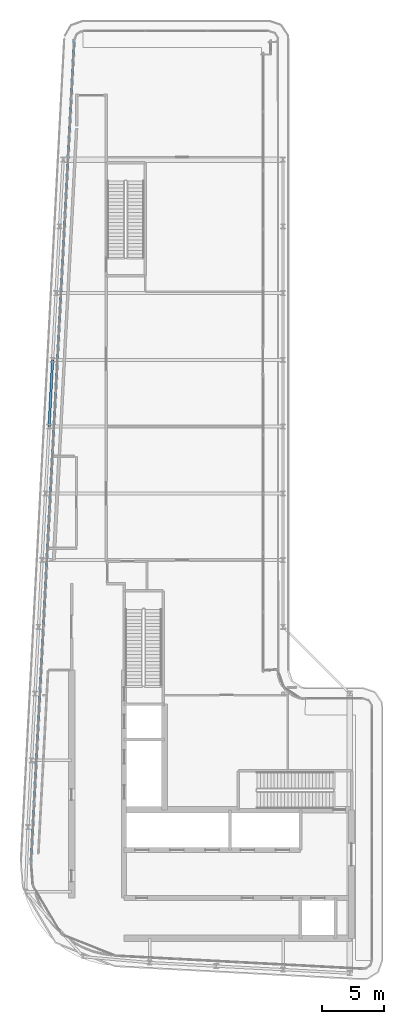
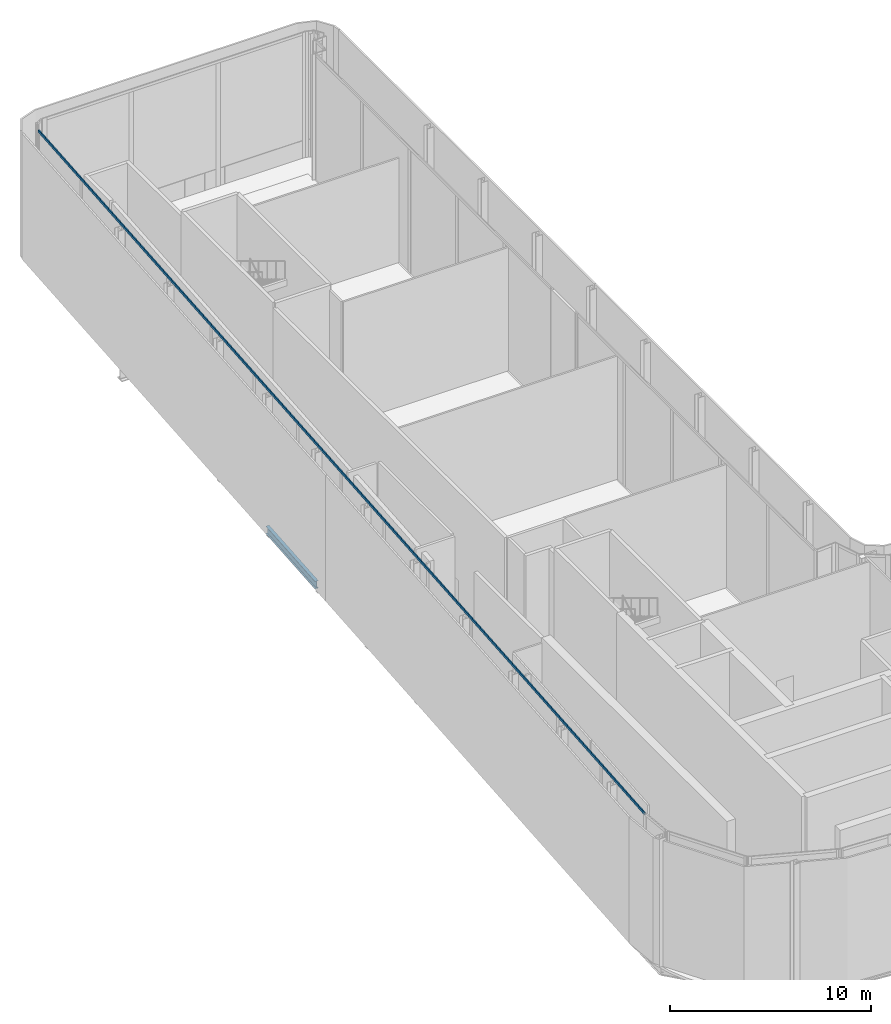
# One storey, part 6 of 23: 1 beam, 1 member, 1 element without a shape of its own.
"""IFC4 building model written with IfcOpenShell, lengths in metres."""

from ifc_helpers import new_model, si_unit, direction, frame, origin, origin_2d, place, context, subcontext, project, spatial, rectangle, i_section, extrude, material, layer, layer_set, material_profile, profile_set, type_object, element, aggregate, save


model = new_model("IFC4")

# Units and contexts
model_context = context("Model", 3, precision=1e-05, world=origin(), true_north=direction((0.0, 1.0)))
body_context = subcontext(model_context, "Body", "Model", "MODEL_VIEW")
ifc_project = project(units=[si_unit("LENGTHUNIT", "METRE"), si_unit("AREAUNIT", "SQUARE_METRE"), si_unit("VOLUMEUNIT", "CUBIC_METRE"), si_unit("PLANEANGLEUNIT", "RADIAN"), si_unit("MASSUNIT", "GRAM", prefix="KILO")], contexts=[model_context])

# Site, building, storey
site_placement = place(None, origin())
site = spatial("IfcSite", under=ifc_project, at=site_placement, CompositionType="ELEMENT")
building_placement = place(site_placement, origin())
building = spatial("IfcBuilding", under=site, at=building_placement, Name="Kheshtan School and Residences Tower", CompositionType="ELEMENT")
storey_placement = place(building_placement, frame((0.0, 0.0, 389.0)))
storey = spatial("IfcBuildingStorey", under=building, at=storey_placement, Name="L92", CompositionType="ELEMENT", Elevation=389.0)

# Beam
ifc_material_1 = material(Name="Steel ASTM A992 Grade 50", Category="steel")
ifc_material_profile_1 = material_profile(ifc_material_1, i_section(OverallWidth=0.18994140625, OverallDepth=0.45703125, WebThickness=0.009033203125, FlangeThickness=0.014404296875, FilletRadius=0.01318359375, at=origin_2d()), Name="W460x74")
ifc_profile_set_1 = profile_set([ifc_material_profile_1], Name="Steel ASTM A992 Grade 50")
beam_type = type_object("IfcBeamType", Name="Beam SP4 W460x74 ASTM A992 Grade 50", PredefinedType="BEAM", material=ifc_profile_set_1)
beam_placement = place(storey_placement, frame((28.674072265625, 67.199951171875, -0.37841796875), z_axis=(0.05250670125, 0.998620571751, 0.0), x_axis=(-0.998620571751, 0.05250670125, 0.0)))
element("IfcBeam", 1, at=beam_placement, inside=storey, type_object=beam_type, Name="Spandrel beam C084-C086", PredefinedType="BEAM", context=body_context, shape_type="SweptSolid", body=[
    extrude(i_section(OverallWidth=0.18994140625, OverallDepth=0.45703125, WebThickness=0.009033203125, FlangeThickness=0.014404296875, FilletRadius=0.01318359375, at=origin_2d()), origin(), (0.0, 0.0, 1.0), 5.40771484375),
])

# Curtain wall, member
ifc_material_2 = material(Name="Clear low-e glass in thermally broken aluminium frame", Category="aluminium")
ifc_layer = layer(ifc_material_2, 0.25)
ifc_layer_set = layer_set([ifc_layer], Name="Curtain wall CW-K")
curtain_wall_type = type_object("IfcCurtainWallType", Name="Curtain wall CW-K", PredefinedType="NOTDEFINED", material=ifc_layer_set)
curtain_wall_placement = place(storey_placement, origin())
curtain_wall = element("IfcCurtainWall", 2, at=curtain_wall_placement, inside=storey, type_object=curtain_wall_type, Name="Curtain wall CWK10a", PredefinedType="NOTDEFINED")
ifc_material_3 = material(Name="Thermally broken aluminium, dark bronze anodised", Category="aluminium")
ifc_material_profile_2 = material_profile(ifc_material_3, rectangle(XDim=0.06005859375, YDim=0.159912109375, at=origin_2d()), Name="CW-K transom 60x160")
ifc_profile_set_2 = profile_set([ifc_material_profile_2], Name="Thermally broken aluminium, dark bronze anodised")
member_type = type_object("IfcMemberType", Name="CW-K transom 60x160", PredefinedType="USERDEFINED", material=ifc_profile_set_2)
member_placement = place(storey_placement, frame((27.219482421875, 31.963623046875, 7.570068359375), z_axis=(0.052565184819, 0.998617495012, 0.0), x_axis=(-0.998617495012, 0.052565184819, 0.0)))
member = element("IfcMember", 3, at=member_placement, type_object=member_type, Name="CWK10a transom 1", ObjectType="TRANSOM", PredefinedType="USERDEFINED", context=body_context, shape_type="SweptSolid", body=[
    extrude(rectangle(XDim=0.06005859375, YDim=0.159912109375, at=origin_2d()), origin(), (0.0, 0.0, 1.0), 66.57470703125),
])
aggregate(curtain_wall, [member])

save(model, "model.ifc")
